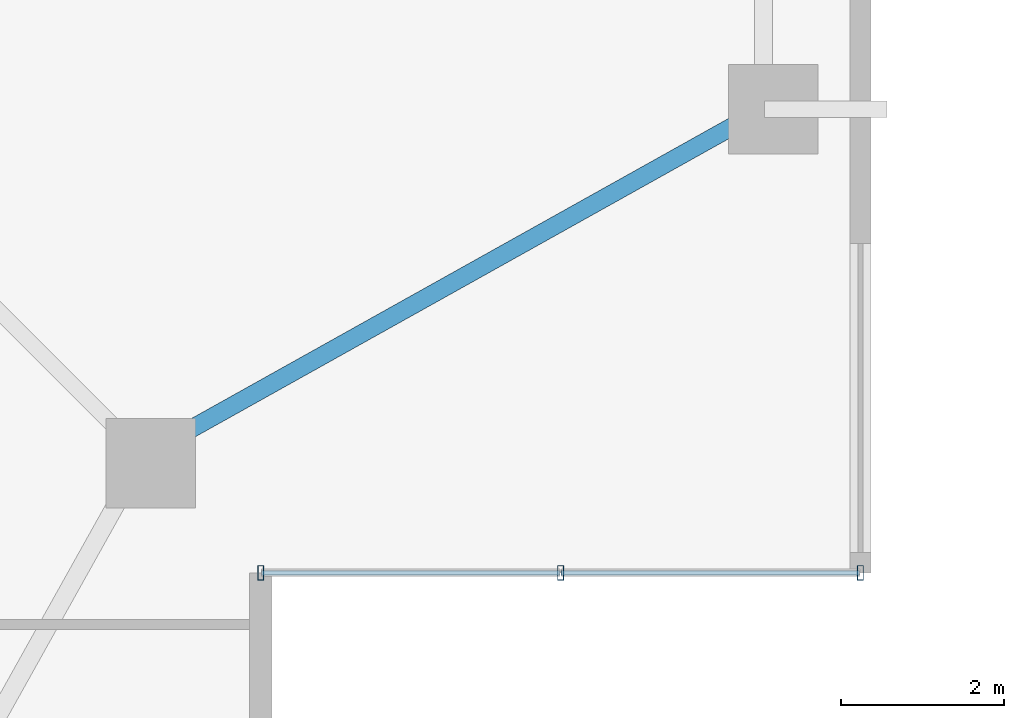
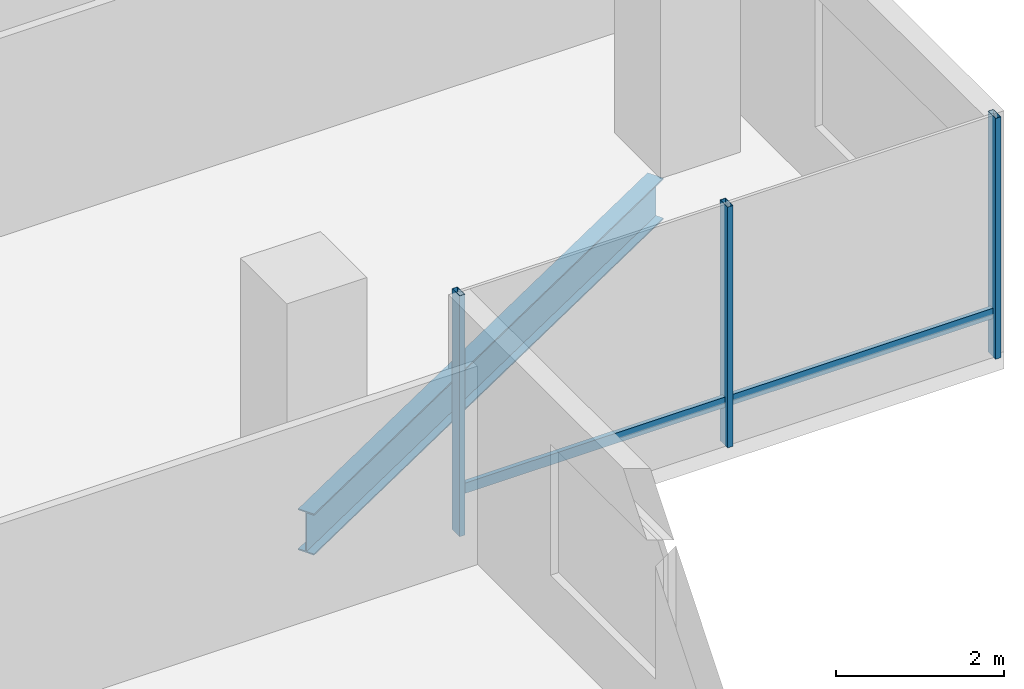
# One storey, part 9 of 29: 5 members, 1 beam, 1 element without a shape of its own.
"""IFC4 building model written with IfcOpenShell, lengths in metres."""

from ifc_helpers import new_model, si_unit, direction, frame, origin, origin_2d, place, context, subcontext, project, spatial, hollow_rectangle, i_section, extrude, material, layer, layer_set, material_profile, profile_set, type_object, element, aggregate, save


model = new_model("IFC4")

# Units and contexts
model_context = context("Model", 3, precision=1e-05, world=origin(), true_north=direction((0.0, 1.0)))
body_context = subcontext(model_context, "Body", "Model", "MODEL_VIEW")
ifc_project = project(units=[si_unit("LENGTHUNIT", "METRE"), si_unit("AREAUNIT", "SQUARE_METRE"), si_unit("VOLUMEUNIT", "CUBIC_METRE"), si_unit("PLANEANGLEUNIT", "RADIAN"), si_unit("MASSUNIT", "GRAM", prefix="KILO")], contexts=[model_context])

# Site, building, storey
site_placement = place(None, origin())
site = spatial("IfcSite", under=ifc_project, at=site_placement, CompositionType="ELEMENT")
building_placement = place(site_placement, origin())
building = spatial("IfcBuilding", under=site, at=building_placement, Name="Belovzor Exchange Tower", CompositionType="ELEMENT")
storey_placement = place(building_placement, frame((0.0, 0.0, 199.949951171875)))
storey = spatial("IfcBuildingStorey", under=building, at=storey_placement, Name="L49", CompositionType="ELEMENT", Elevation=199.949951171875)

# Curtain wall, members
ifc_material_1 = material(Name="Anodised Aluminium Framing", Category="aluminium")
ifc_layer = layer(ifc_material_1, 0.195068359375)
ifc_layer_set = layer_set([ifc_layer], Name="Anodised Aluminium Framing")
curtain_wall_type = type_object("IfcCurtainWallType", Name="Notched Re-Entrant Corner Unitised Curtain Wall", PredefinedType="NOTDEFINED", material=ifc_layer_set)
curtain_wall_placement = place(storey_placement, origin())
curtain_wall = element("IfcCurtainWall", 1, at=curtain_wall_placement, inside=storey, type_object=curtain_wall_type, Name="CW5 Notched Re-Entrant Corner Unitised Curtain Wall L49", PredefinedType="NOTDEFINED")
ifc_material_2 = material(Name="Steel S355", Category="steel")
ifc_material_profile_1 = material_profile(ifc_material_2, hollow_rectangle(XDim=0.074951171875, YDim=0.179931640625, WallThickness=0.0048828125, at=origin_2d()))
ifc_profile_set_1 = profile_set([ifc_material_profile_1], Name="Steel S355")
member_type_1 = type_object("IfcMemberType", Name="Thermally Broken Curtain Wall Mullion 180x75", PredefinedType="MULLION", material=ifc_profile_set_1)
member_1_placement = place(storey_placement, frame((55.669921875, 9.300048828125, 0.0), z_axis=(0.0, 0.0, 1.0), x_axis=(-1.0, 0.0, 0.0)))
member_1 = element("IfcMember", 2, at=member_1_placement, type_object=member_type_1, Name="CW-M180 Curtain Wall Mullion 1", PredefinedType="MULLION", context=body_context, shape_type="SweptSolid", body=[
    extrude(hollow_rectangle(XDim=0.074951171875, YDim=0.179931640625, WallThickness=0.0048828125, at=origin_2d()), origin(), (0.0, 0.0, 1.0), 3.5),
])
member_2_placement = place(storey_placement, frame((51.985107421875, 9.300048828125, 0.0), z_axis=(0.0, 0.0, 1.0), x_axis=(-1.0, 0.0, 0.0)))
member_2 = element("IfcMember", 3, at=member_2_placement, type_object=member_type_1, Name="CW-M180 Curtain Wall Mullion 2", PredefinedType="MULLION", context=body_context, shape_type="SweptSolid", body=[
    extrude(hollow_rectangle(XDim=0.074951171875, YDim=0.179931640625, WallThickness=0.0048828125, at=origin_2d()), origin(), (0.0, 0.0, 1.0), 3.5),
])
member_3_placement = place(storey_placement, frame((48.300048828125, 9.300048828125, 0.0), z_axis=(0.0, 0.0, 1.0), x_axis=(-1.0, 0.0, 0.0)))
member_3 = element("IfcMember", 4, at=member_3_placement, type_object=member_type_1, Name="CW-M180 Curtain Wall Mullion 3", PredefinedType="MULLION", context=body_context, shape_type="SweptSolid", body=[
    extrude(hollow_rectangle(XDim=0.074951171875, YDim=0.179931640625, WallThickness=0.0048828125, at=origin_2d()), origin(), (0.0, 0.0, 1.0), 3.5),
])
ifc_material_3 = material(Name="Steel S355", Category="steel")
ifc_material_profile_2 = material_profile(ifc_material_3, hollow_rectangle(XDim=0.06005859375, YDim=0.14990234375, WallThickness=0.00390625, at=origin_2d()))
ifc_profile_set_2 = profile_set([ifc_material_profile_2], Name="Steel S355")
member_type_2 = type_object("IfcMemberType", Name="Thermally Broken Curtain Wall Transom 150x60", PredefinedType="USERDEFINED", material=ifc_profile_set_2)
member_4_placement = place(storey_placement, frame((55.662109375, 9.300048828125, 0.630126953125), z_axis=(-1.0, 0.0, 0.0), x_axis=(0.0, -1.0, 0.0)))
member_4 = element("IfcMember", 5, at=member_4_placement, type_object=member_type_2, Name="CW-T150 Curtain Wall Transom 1", ObjectType="TRANSOM", PredefinedType="USERDEFINED", context=body_context, shape_type="SweptSolid", body=[
    extrude(hollow_rectangle(XDim=0.06005859375, YDim=0.14990234375, WallThickness=0.00390625, at=origin_2d()), origin(), (0.0, 0.0, 1.0), 3.669189453125),
])
member_5_placement = place(storey_placement, frame((51.97705078125, 9.300048828125, 0.630126953125), z_axis=(-1.0, 0.0, 0.0), x_axis=(0.0, -1.0, 0.0)))
member_5 = element("IfcMember", 6, at=member_5_placement, type_object=member_type_2, Name="CW-T150 Curtain Wall Transom 2", ObjectType="TRANSOM", PredefinedType="USERDEFINED", context=body_context, shape_type="SweptSolid", body=[
    extrude(hollow_rectangle(XDim=0.06005859375, YDim=0.14990234375, WallThickness=0.00390625, at=origin_2d()), origin(), (0.0, 0.0, 1.0), 3.6689453125),
])
aggregate(curtain_wall, [member_1, member_2, member_3, member_4, member_5])

# Beam
ifc_material_4 = material(Name="Steel S355", Category="steel")
ifc_material_profile_3 = material_profile(ifc_material_4, i_section(OverallWidth=0.219970703125, OverallDepth=0.60009765625, WebThickness=0.011962890625, FlangeThickness=0.01904296875, at=origin_2d()))
ifc_profile_set_3 = profile_set([ifc_material_profile_3], Name="Steel S355")
beam_type = type_object("IfcBeamType", Name="Zone 4 Flare Primary Girder IPE 600", PredefinedType="BEAM", material=ifc_profile_set_3)
beam_placement = place(storey_placement, frame((47.1220703125, 10.889892578125, -0.550048828125), z_axis=(0.872998054736, 0.487723688606, 0.0), x_axis=(-0.487723688606, 0.872998054736, 0.0)))
element("IfcBeam", 7, at=beam_placement, inside=storey, type_object=beam_type, Name="FG-Z4 Zone 4 Flare Primary Girder IPE 600", PredefinedType="BEAM", context=body_context, shape_type="SweptSolid", body=[
    extrude(i_section(OverallWidth=0.219970703125, OverallDepth=0.60009765625, WebThickness=0.011962890625, FlangeThickness=0.01904296875, at=origin_2d()), origin(), (0.0, 0.0, 1.0), 8.123779296875),
])

save(model, "model.ifc")
